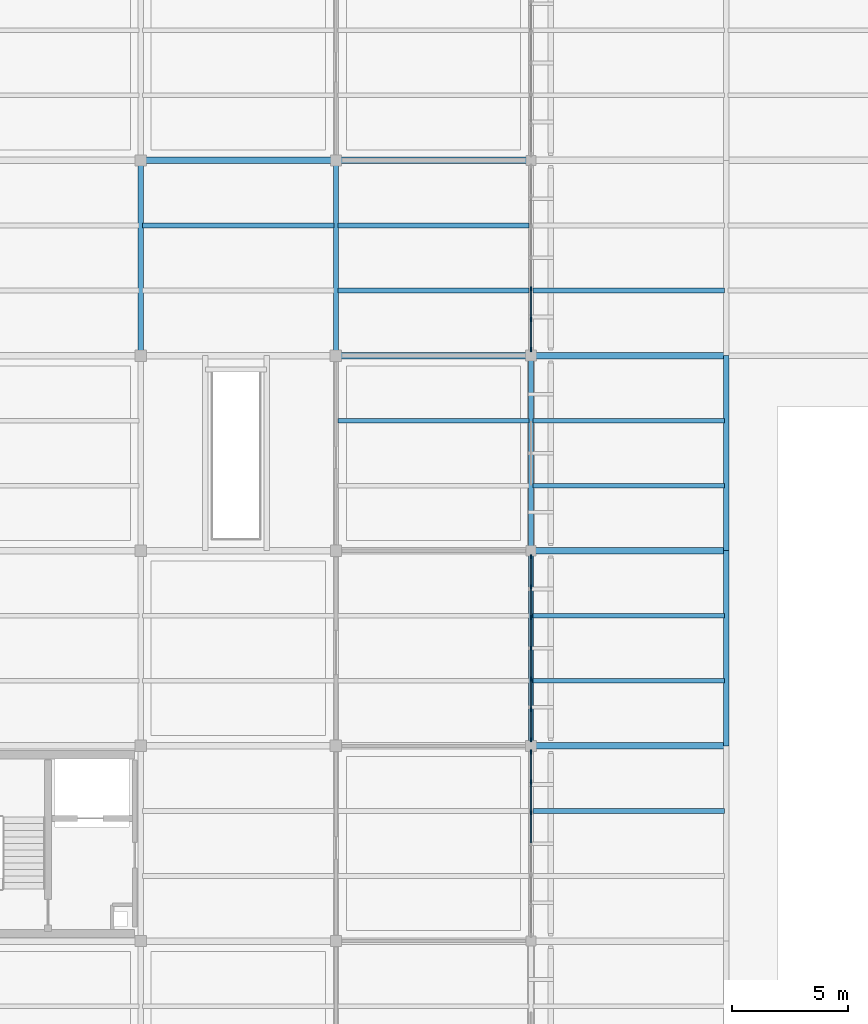
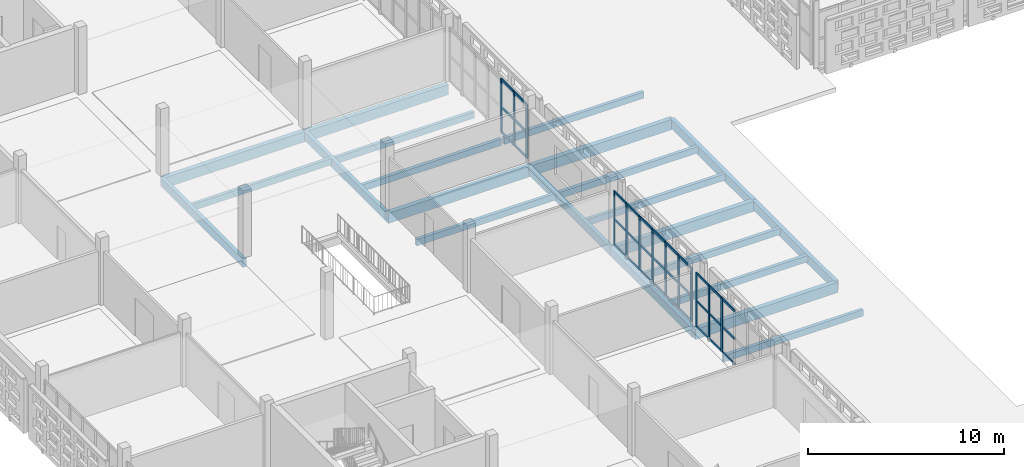
# One storey, part 33 of 166: 46 members, 22 beams, 3 elements without a shape of their own.
"""IFC4 building model written with IfcOpenShell, lengths in metres."""

from ifc_helpers import new_model, si_unit, direction, frame, origin, origin_2d, place, context, subcontext, project, spatial, rectangle, extrude, material, layer, layer_set, material_profile, profile_set, type_object, element, aggregate, save


model = new_model("IFC4")

# Units and contexts
model_context = context("Model", 3, precision=1e-05, world=origin(), true_north=direction((0.0, 1.0)))
body_context = subcontext(model_context, "Body", "Model", "MODEL_VIEW")
ifc_project = project(units=[si_unit("LENGTHUNIT", "METRE"), si_unit("AREAUNIT", "SQUARE_METRE"), si_unit("VOLUMEUNIT", "CUBIC_METRE"), si_unit("PLANEANGLEUNIT", "RADIAN"), si_unit("MASSUNIT", "GRAM", prefix="KILO")], contexts=[model_context])

# Site, building, storey
site_placement = place(None, origin())
site = spatial("IfcSite", under=ifc_project, at=site_placement, CompositionType="ELEMENT")
building_placement = place(site_placement, origin())
building = spatial("IfcBuilding", under=site, at=building_placement, Name="Varnapada Polytechnic", CompositionType="ELEMENT")
storey_placement = place(building_placement, frame((0.0, 0.0, 9.60009765625)))
storey = spatial("IfcBuildingStorey", under=building, at=storey_placement, Name="L02", CompositionType="ELEMENT", Elevation=9.60009765625)

# Beams
ifc_material_1 = material(Name="Glulam GL32h", Category="wood")
ifc_material_profile_1 = material_profile(ifc_material_1, rectangle(XDim=0.280029296875, YDim=0.639892578125, at=origin_2d()), Name="GL 280x640")
ifc_profile_set_1 = profile_set([ifc_material_profile_1], Name="Glulam GL32h")
beam_type_1 = type_object("IfcBeamType", Name="Laboratory primary glulam girder GG-02 (GL 280x640)", PredefinedType="BEAM", material=ifc_profile_set_1)
beam_1_placement = place(storey_placement, frame((16.800048828125, 92.39990234375, -0.56005859375), z_axis=(1.0, 0.0, 0.0), x_axis=(0.0, 1.0, 0.0)))
element("IfcBeam", 1, at=beam_1_placement, inside=storey, type_object=beam_type_1, Name="L02 beam X 3-4 at Y12", PredefinedType="BEAM", context=body_context, shape_type="SweptSolid", body=[
    extrude(rectangle(XDim=0.280029296875, YDim=0.639892578125, at=origin_2d()), origin(), (0.0, 0.0, 1.0), 8.39990234375),
])
for number, where, z_axis, x_axis, name in (
    (2, (25.199951171875, 84.0, -0.590087890625), (1.0, 0.0, 0.0), (0.0, 1.0, 0.0), "L02 beam X 4-5 at Y11"),
    (3, (25.199951171875, 92.39990234375, -0.590087890625), (1.0, 0.0, 0.0), (0.0, 1.0, 0.0), "L02 beam X 4-5 at Y12"),
):
    element("IfcBeam", number, at=place(storey_placement, frame(where, z_axis=z_axis, x_axis=x_axis)), inside=storey, type_object=beam_type_1, Name=name, PredefinedType="BEAM", context=body_context, shape_type="SweptSolid", body=[
        extrude(rectangle(XDim=0.280029296875, YDim=0.639892578125, at=origin_2d()), origin(), (0.0, 0.0, 1.0), 8.400146484375),
    ])
for number, where, z_axis, x_axis, name in (
    (4, (33.60009765625, 67.199951171875, -0.590087890625), (1.0, 0.0, 0.0), (0.0, 1.0, 0.0), "L02 beam X 5-6 at Y9"),
    (5, (33.60009765625, 75.60009765625, -0.590087890625), (1.0, 0.0, 0.0), (0.0, 1.0, 0.0), "L02 beam X 5-6 at Y10"),
    (6, (33.60009765625, 84.0, -0.590087890625), (1.0, 0.0, 0.0), (0.0, 1.0, 0.0), "L02 beam X 5-6 at Y11"),
):
    element("IfcBeam", number, at=place(storey_placement, frame(where, z_axis=z_axis, x_axis=x_axis)), inside=storey, type_object=beam_type_1, Name=name, PredefinedType="BEAM", context=body_context, shape_type="SweptSolid", body=[
        extrude(rectangle(XDim=0.280029296875, YDim=0.639892578125, at=origin_2d()), origin(), (0.0, 0.0, 1.0), 8.39990234375),
    ])
ifc_material_profile_2 = material_profile(ifc_material_1, rectangle(XDim=0.219970703125, YDim=0.52001953125, at=origin_2d()), Name="GL 220x520")
ifc_profile_set_2 = profile_set([ifc_material_profile_2], Name="Glulam GL32h")
beam_type_2 = type_object("IfcBeamType", Name="Laboratory transverse glulam beam GB-12 (GL 220x520)", PredefinedType="BEAM", material=ifc_profile_set_2)
for number, where, z_axis, x_axis, name in (
    (7, (16.800048828125, 84.0, -0.5), (0.0, 1.0, 0.0), (-1.0, 0.0, 0.0), "L02 beam Y 11-12 at X3"),
    (8, (25.199951171875, 84.0, -0.5), (0.0, 1.0, 0.0), (-1.0, 0.0, 0.0), "L02 beam Y 11-12 at X4"),
):
    element("IfcBeam", number, at=place(storey_placement, frame(where, z_axis=z_axis, x_axis=x_axis)), inside=storey, type_object=beam_type_2, Name=name, PredefinedType="BEAM", context=body_context, shape_type="SweptSolid", body=[
        extrude(rectangle(XDim=0.219970703125, YDim=0.52001953125, at=origin_2d()), origin(), (0.0, 0.0, 1.0), 8.39990234375),
    ])
beam_2_placement = place(storey_placement, frame((33.60009765625, 67.199951171875, -0.530029296875), z_axis=(0.0, 1.0, 0.0), x_axis=(-1.0, 0.0, 0.0)))
element("IfcBeam", 9, at=beam_2_placement, inside=storey, type_object=beam_type_2, Name="L02 beam Y 9-10 at X5", PredefinedType="BEAM", context=body_context, shape_type="SweptSolid", body=[
    extrude(rectangle(XDim=0.219970703125, YDim=0.52001953125, at=origin_2d()), origin(), (0.0, 0.0, 1.0), 8.400146484375),
])
beam_3_placement = place(storey_placement, frame((33.60009765625, 75.60009765625, -0.530029296875), z_axis=(0.0, 1.0, 0.0), x_axis=(-1.0, 0.0, 0.0)))
element("IfcBeam", 10, at=beam_3_placement, inside=storey, type_object=beam_type_2, Name="L02 beam Y 10-11 at X5", PredefinedType="BEAM", context=body_context, shape_type="SweptSolid", body=[
    extrude(rectangle(XDim=0.219970703125, YDim=0.52001953125, at=origin_2d()), origin(), (0.0, 0.0, 1.0), 8.39990234375),
])
ifc_material_profile_3 = material_profile(ifc_material_1, rectangle(XDim=0.199951171875, YDim=0.39990234375, at=origin_2d()), Name="GL 200x400")
ifc_profile_set_3 = profile_set([ifc_material_profile_3], Name="Glulam GL32h")
beam_type_3 = type_object("IfcBeamType", Name="Library/laboratory glulam floor joist GJ-01 (GL 200x400)", PredefinedType="JOIST", material=ifc_profile_set_3)
beam_4_placement = place(storey_placement, frame((16.8798828125, 89.60009765625, -0.440185546875), z_axis=(1.0, 0.0, 0.0), x_axis=(0.0, 1.0, 0.0)))
element("IfcBeam", 11, at=beam_4_placement, inside=storey, type_object=beam_type_3, Name="L02 floor joist 3/11.2", PredefinedType="JOIST", context=body_context, shape_type="SweptSolid", body=[
    extrude(rectangle(XDim=0.199951171875, YDim=0.39990234375, at=origin_2d()), origin(), (0.0, 0.0, 1.0), 8.240234375),
])
for number, where, z_axis, x_axis, name in (
    (12, (25.280029296875, 81.199951171875, -0.47021484375), (1.0, 0.0, 0.0), (0.0, 1.0, 0.0), "L02 floor joist 4/10.2"),
    (13, (25.280029296875, 86.800048828125, -0.47021484375), (1.0, 0.0, 0.0), (0.0, 1.0, 0.0), "L02 floor joist 4/11.1"),
    (14, (25.280029296875, 89.60009765625, -0.47021484375), (1.0, 0.0, 0.0), (0.0, 1.0, 0.0), "L02 floor joist 4/11.2"),
    (15, (33.679931640625, 64.39990234375, -0.47021484375), (1.0, 0.0, 0.0), (0.0, 1.0, 0.0), "L02 floor joist 5/8.2"),
    (16, (33.679931640625, 70.0, -0.47021484375), (1.0, 0.0, 0.0), (0.0, 1.0, 0.0), "L02 floor joist 5/9.1"),
    (17, (33.679931640625, 72.800048828125, -0.47021484375), (1.0, 0.0, 0.0), (0.0, 1.0, 0.0), "L02 floor joist 5/9.2"),
    (18, (33.679931640625, 78.39990234375, -0.47021484375), (1.0, 0.0, 0.0), (0.0, 1.0, 0.0), "L02 floor joist 5/10.1"),
    (19, (33.679931640625, 81.199951171875, -0.47021484375), (1.0, 0.0, 0.0), (0.0, 1.0, 0.0), "L02 floor joist 5/10.2"),
    (20, (33.679931640625, 86.800048828125, -0.47021484375), (1.0, 0.0, 0.0), (0.0, 1.0, 0.0), "L02 floor joist 5/11.1"),
):
    element("IfcBeam", number, at=place(storey_placement, frame(where, z_axis=z_axis, x_axis=x_axis)), inside=storey, type_object=beam_type_3, Name=name, PredefinedType="JOIST", context=body_context, shape_type="SweptSolid", body=[
        extrude(rectangle(XDim=0.199951171875, YDim=0.39990234375, at=origin_2d()), origin(), (0.0, 0.0, 1.0), 8.239990234375),
    ])

# Curtain wall, members
ifc_material_2 = material(Name="Double low-E laminated glass", Category="glass")
ifc_layer = layer(ifc_material_2, 0.179931640625)
ifc_layer_set = layer_set([ifc_layer], Name="Double low-E laminated glass")
curtain_wall_type = type_object("IfcCurtainWallType", Name="Curtain Wall CW-03", PredefinedType="NOTDEFINED", material=ifc_layer_set)
curtain_wall_1_placement = place(storey_placement, origin())
curtain_wall_1 = element("IfcCurtainWall", 21, at=curtain_wall_1_placement, inside=storey, type_object=curtain_wall_type, Name="L02 unitised curtain wall CW-03 (144)", PredefinedType="NOTDEFINED")
ifc_material_3 = material(Name="Anodised aluminium", Category="aluminium")
ifc_material_profile_4 = material_profile(ifc_material_3, rectangle(XDim=0.06494140625, YDim=0.179931640625, at=origin_2d()), Name="ALU M65x180")
ifc_profile_set_4 = profile_set([ifc_material_profile_4], Name="Anodised aluminium")
member_type_1 = type_object("IfcMemberType", Name="Mullion M-02", PredefinedType="MULLION", material=ifc_profile_set_4)
member_1_placement = place(storey_placement, frame((33.60009765625, 66.9375, 0.0), z_axis=(0.0, 0.0, 1.0), x_axis=(1.0, 0.0, 0.0)))
member_1 = element("IfcMember", 22, at=member_1_placement, type_object=member_type_1, Name="CW-03 mullion 1", PredefinedType="MULLION", context=body_context, shape_type="SweptSolid", body=[
    extrude(rectangle(XDim=0.06494140625, YDim=0.179931640625, at=origin_2d()), origin(), (0.0, 0.0, 1.0), 3.35986328125),
])
member_2_placement = place(storey_placement, frame((33.60009765625, 65.64501953125, 0.0), z_axis=(0.0, 0.0, 1.0), x_axis=(1.0, 0.0, 0.0)))
member_2 = element("IfcMember", 23, at=member_2_placement, type_object=member_type_1, Name="CW-03 mullion 2", PredefinedType="MULLION", context=body_context, shape_type="SweptSolid", body=[
    extrude(rectangle(XDim=0.06494140625, YDim=0.179931640625, at=origin_2d()), origin(), (0.0, 0.0, 1.0), 3.35986328125),
])
member_3_placement = place(storey_placement, frame((33.60009765625, 64.320068359375, 0.0), z_axis=(0.0, 0.0, 1.0), x_axis=(1.0, 0.0, 0.0)))
member_3 = element("IfcMember", 24, at=member_3_placement, type_object=member_type_1, Name="CW-03 mullion 3", PredefinedType="MULLION", context=body_context, shape_type="SweptSolid", body=[
    extrude(rectangle(XDim=0.06494140625, YDim=0.179931640625, at=origin_2d()), origin(), (0.0, 0.0, 1.0), 3.35986328125),
])

curtain_wall_2_placement = place(storey_placement, origin())
curtain_wall_2 = element("IfcCurtainWall", 25, at=curtain_wall_2_placement, inside=storey, type_object=curtain_wall_type, Name="L02 unitised curtain wall CW-03 (145)", PredefinedType="NOTDEFINED")
member_4_placement = place(storey_placement, frame((33.60009765625, 75.347412109375, 0.0), z_axis=(0.0, 0.0, 1.0), x_axis=(1.0, 0.0, 0.0)))
member_4 = element("IfcMember", 26, at=member_4_placement, type_object=member_type_1, Name="CW-03 mullion 1", PredefinedType="MULLION", context=body_context, shape_type="SweptSolid", body=[
    extrude(rectangle(XDim=0.06494140625, YDim=0.179931640625, at=origin_2d()), origin(), (0.0, 0.0, 1.0), 3.35986328125),
])
member_5_placement = place(storey_placement, frame((33.60009765625, 74.054931640625, 0.0), z_axis=(0.0, 0.0, 1.0), x_axis=(1.0, 0.0, 0.0)))
member_5 = element("IfcMember", 27, at=member_5_placement, type_object=member_type_1, Name="CW-03 mullion 2", PredefinedType="MULLION", context=body_context, shape_type="SweptSolid", body=[
    extrude(rectangle(XDim=0.06494140625, YDim=0.179931640625, at=origin_2d()), origin(), (0.0, 0.0, 1.0), 3.35986328125),
])
member_6_placement = place(storey_placement, frame((33.60009765625, 72.72998046875, 0.0), z_axis=(0.0, 0.0, 1.0), x_axis=(1.0, 0.0, 0.0)))
member_6 = element("IfcMember", 28, at=member_6_placement, type_object=member_type_1, Name="CW-03 mullion 3", PredefinedType="MULLION", context=body_context, shape_type="SweptSolid", body=[
    extrude(rectangle(XDim=0.06494140625, YDim=0.179931640625, at=origin_2d()), origin(), (0.0, 0.0, 1.0), 3.35986328125),
])
member_7_placement = place(storey_placement, frame((33.60009765625, 71.405029296875, 0.0), z_axis=(0.0, 0.0, 1.0), x_axis=(1.0, 0.0, 0.0)))
member_7 = element("IfcMember", 29, at=member_7_placement, type_object=member_type_1, Name="CW-03 mullion 4", PredefinedType="MULLION", context=body_context, shape_type="SweptSolid", body=[
    extrude(rectangle(XDim=0.06494140625, YDim=0.179931640625, at=origin_2d()), origin(), (0.0, 0.0, 1.0), 3.35986328125),
])
member_8_placement = place(storey_placement, frame((33.60009765625, 70.080078125, 0.0), z_axis=(0.0, 0.0, 1.0), x_axis=(1.0, 0.0, 0.0)))
member_8 = element("IfcMember", 30, at=member_8_placement, type_object=member_type_1, Name="CW-03 mullion 5", PredefinedType="MULLION", context=body_context, shape_type="SweptSolid", body=[
    extrude(rectangle(XDim=0.06494140625, YDim=0.179931640625, at=origin_2d()), origin(), (0.0, 0.0, 1.0), 3.35986328125),
])
member_9_placement = place(storey_placement, frame((33.60009765625, 68.7548828125, 0.0), z_axis=(0.0, 0.0, 1.0), x_axis=(1.0, 0.0, 0.0)))
member_9 = element("IfcMember", 31, at=member_9_placement, type_object=member_type_1, Name="CW-03 mullion 6", PredefinedType="MULLION", context=body_context, shape_type="SweptSolid", body=[
    extrude(rectangle(XDim=0.06494140625, YDim=0.179931640625, at=origin_2d()), origin(), (0.0, 0.0, 1.0), 3.35986328125),
])
member_10_placement = place(storey_placement, frame((33.60009765625, 67.46240234375, 0.0), z_axis=(0.0, 0.0, 1.0), x_axis=(1.0, 0.0, 0.0)))
member_10 = element("IfcMember", 32, at=member_10_placement, type_object=member_type_1, Name="CW-03 mullion 7", PredefinedType="MULLION", context=body_context, shape_type="SweptSolid", body=[
    extrude(rectangle(XDim=0.06494140625, YDim=0.179931640625, at=origin_2d()), origin(), (0.0, 0.0, 1.0), 3.35986328125),
])

curtain_wall_3_placement = place(storey_placement, origin())
curtain_wall_3 = element("IfcCurtainWall", 33, at=curtain_wall_3_placement, inside=storey, type_object=curtain_wall_type, Name="L02 unitised curtain wall CW-03 (146)", PredefinedType="NOTDEFINED")
member_11_placement = place(storey_placement, frame((33.60009765625, 86.8798828125, 0.0), z_axis=(0.0, 0.0, 1.0), x_axis=(1.0, 0.0, 0.0)))
member_11 = element("IfcMember", 34, at=member_11_placement, type_object=member_type_1, Name="CW-03 mullion 5", PredefinedType="MULLION", context=body_context, shape_type="SweptSolid", body=[
    extrude(rectangle(XDim=0.06494140625, YDim=0.179931640625, at=origin_2d()), origin(), (0.0, 0.0, 1.0), 3.35986328125),
])
member_12_placement = place(storey_placement, frame((33.60009765625, 85.554931640625, 0.0), z_axis=(0.0, 0.0, 1.0), x_axis=(1.0, 0.0, 0.0)))
member_12 = element("IfcMember", 35, at=member_12_placement, type_object=member_type_1, Name="CW-03 mullion 6", PredefinedType="MULLION", context=body_context, shape_type="SweptSolid", body=[
    extrude(rectangle(XDim=0.06494140625, YDim=0.179931640625, at=origin_2d()), origin(), (0.0, 0.0, 1.0), 3.35986328125),
])
member_13_placement = place(storey_placement, frame((33.60009765625, 84.262451171875, 0.0), z_axis=(0.0, 0.0, 1.0), x_axis=(1.0, 0.0, 0.0)))
member_13 = element("IfcMember", 36, at=member_13_placement, type_object=member_type_1, Name="CW-03 mullion 7", PredefinedType="MULLION", context=body_context, shape_type="SweptSolid", body=[
    extrude(rectangle(XDim=0.06494140625, YDim=0.179931640625, at=origin_2d()), origin(), (0.0, 0.0, 1.0), 3.35986328125),
])

# Beams
ifc_material_profile_5 = material_profile(ifc_material_1, rectangle(XDim=0.239990234375, YDim=0.56005859375, at=origin_2d()), Name="GL 240x560")
ifc_profile_set_5 = profile_set([ifc_material_profile_5], Name="Glulam GL32h")
beam_type_4 = type_object("IfcBeamType", Name="Perimeter glulam spandrel beam SP-02 (GL 240x560)", PredefinedType="SPANDREL", material=ifc_profile_set_5)
beam_5_placement = place(storey_placement, frame((42.0, 67.199951171875, -0.550048828125), z_axis=(0.0, 1.0, 0.0), x_axis=(-1.0, 0.0, 0.0)))
element("IfcBeam", 37, at=beam_5_placement, inside=storey, type_object=beam_type_4, Name="L02 beam Y 9-10 at X6", PredefinedType="SPANDREL", context=body_context, shape_type="SweptSolid", body=[
    extrude(rectangle(XDim=0.239990234375, YDim=0.56005859375, at=origin_2d()), origin(), (0.0, 0.0, 1.0), 8.400146484375),
])
beam_6_placement = place(storey_placement, frame((42.0, 75.60009765625, -0.550048828125), z_axis=(0.0, 1.0, 0.0), x_axis=(-1.0, 0.0, 0.0)))
element("IfcBeam", 38, at=beam_6_placement, inside=storey, type_object=beam_type_4, Name="L02 beam Y 10-11 at X6", PredefinedType="SPANDREL", context=body_context, shape_type="SweptSolid", body=[
    extrude(rectangle(XDim=0.239990234375, YDim=0.56005859375, at=origin_2d()), origin(), (0.0, 0.0, 1.0), 8.39990234375),
])

# Member
ifc_material_profile_6 = material_profile(ifc_material_3, rectangle(XDim=0.06494140625, YDim=0.139892578125, at=origin_2d()), Name="ALU T65x140")
ifc_profile_set_6 = profile_set([ifc_material_profile_6], Name="Anodised aluminium")
member_type_2 = type_object("IfcMemberType", Name="Transom T-02", PredefinedType="USERDEFINED", material=ifc_profile_set_6)
member_14_placement = place(storey_placement, frame((33.60009765625, 66.905029296875, 0.032470703125), z_axis=(0.0, -1.0, 0.0), x_axis=(1.0, 0.0, 0.0)))
member_14 = element("IfcMember", 39, at=member_14_placement, type_object=member_type_2, Name="CW-03 transom 1.1", ObjectType="TRANSOM", PredefinedType="USERDEFINED", context=body_context, shape_type="SweptSolid", body=[
    extrude(rectangle(XDim=0.06494140625, YDim=0.139892578125, at=origin_2d()), origin(), (0.0, 0.0, 1.0), 1.2275390625),
])

member_15_placement = place(storey_placement, frame((33.60009765625, 66.905029296875, 1.61279296875), z_axis=(0.0, -1.0, 0.0), x_axis=(1.0, 0.0, 0.0)))
member_15 = element("IfcMember", 40, at=member_15_placement, type_object=member_type_2, Name="CW-03 transom 1.2", ObjectType="TRANSOM", PredefinedType="USERDEFINED", context=body_context, shape_type="SweptSolid", body=[
    extrude(rectangle(XDim=0.06494140625, YDim=0.139892578125, at=origin_2d()), origin(), (0.0, 0.0, 1.0), 1.2275390625),
])

member_16_placement = place(storey_placement, frame((33.60009765625, 66.905029296875, 3.327392578125), z_axis=(0.0, -1.0, 0.0), x_axis=(1.0, 0.0, 0.0)))
member_16 = element("IfcMember", 41, at=member_16_placement, type_object=member_type_2, Name="CW-03 transom 1.3", ObjectType="TRANSOM", PredefinedType="USERDEFINED", context=body_context, shape_type="SweptSolid", body=[
    extrude(rectangle(XDim=0.06494140625, YDim=0.139892578125, at=origin_2d()), origin(), (0.0, 0.0, 1.0), 1.2275390625),
])

member_17_placement = place(storey_placement, frame((33.60009765625, 65.612548828125, 0.032470703125), z_axis=(0.0, -1.0, 0.0), x_axis=(1.0, 0.0, 0.0)))
member_17 = element("IfcMember", 42, at=member_17_placement, type_object=member_type_2, Name="CW-03 transom 2.1", ObjectType="TRANSOM", PredefinedType="USERDEFINED", context=body_context, shape_type="SweptSolid", body=[
    extrude(rectangle(XDim=0.06494140625, YDim=0.139892578125, at=origin_2d()), origin(), (0.0, 0.0, 1.0), 1.260009765625),
])

member_18_placement = place(storey_placement, frame((33.60009765625, 65.612548828125, 1.61279296875), z_axis=(0.0, -1.0, 0.0), x_axis=(1.0, 0.0, 0.0)))
member_18 = element("IfcMember", 43, at=member_18_placement, type_object=member_type_2, Name="CW-03 transom 2.2", ObjectType="TRANSOM", PredefinedType="USERDEFINED", context=body_context, shape_type="SweptSolid", body=[
    extrude(rectangle(XDim=0.06494140625, YDim=0.139892578125, at=origin_2d()), origin(), (0.0, 0.0, 1.0), 1.260009765625),
])

member_19_placement = place(storey_placement, frame((33.60009765625, 65.612548828125, 3.327392578125), z_axis=(0.0, -1.0, 0.0), x_axis=(1.0, 0.0, 0.0)))
member_19 = element("IfcMember", 44, at=member_19_placement, type_object=member_type_2, Name="CW-03 transom 2.3", ObjectType="TRANSOM", PredefinedType="USERDEFINED", context=body_context, shape_type="SweptSolid", body=[
    extrude(rectangle(XDim=0.06494140625, YDim=0.139892578125, at=origin_2d()), origin(), (0.0, 0.0, 1.0), 1.260009765625),
])

member_20_placement = place(storey_placement, frame((33.60009765625, 64.28759765625, 0.032470703125), z_axis=(0.0, -1.0, 0.0), x_axis=(1.0, 0.0, 0.0)))
member_20 = element("IfcMember", 45, at=member_20_placement, type_object=member_type_2, Name="CW-03 transom 3.1", ObjectType="TRANSOM", PredefinedType="USERDEFINED", context=body_context, shape_type="SweptSolid", body=[
    extrude(rectangle(XDim=0.06494140625, YDim=0.139892578125, at=origin_2d()), origin(), (0.0, 0.0, 1.0), 1.260009765625),
])

member_21_placement = place(storey_placement, frame((33.60009765625, 64.28759765625, 1.61279296875), z_axis=(0.0, -1.0, 0.0), x_axis=(1.0, 0.0, 0.0)))
member_21 = element("IfcMember", 46, at=member_21_placement, type_object=member_type_2, Name="CW-03 transom 3.2", ObjectType="TRANSOM", PredefinedType="USERDEFINED", context=body_context, shape_type="SweptSolid", body=[
    extrude(rectangle(XDim=0.06494140625, YDim=0.139892578125, at=origin_2d()), origin(), (0.0, 0.0, 1.0), 1.260009765625),
])

member_22_placement = place(storey_placement, frame((33.60009765625, 64.28759765625, 3.327392578125), z_axis=(0.0, -1.0, 0.0), x_axis=(1.0, 0.0, 0.0)))
member_22 = element("IfcMember", 47, at=member_22_placement, type_object=member_type_2, Name="CW-03 transom 3.3", ObjectType="TRANSOM", PredefinedType="USERDEFINED", context=body_context, shape_type="SweptSolid", body=[
    extrude(rectangle(XDim=0.06494140625, YDim=0.139892578125, at=origin_2d()), origin(), (0.0, 0.0, 1.0), 1.260009765625),
])

aggregate(curtain_wall_1, [member_1, member_2, member_3, member_14, member_15, member_16, member_17, member_18, member_19, member_20, member_21, member_22])

member_23_placement = place(storey_placement, frame((33.60009765625, 75.31494140625, 0.032470703125), z_axis=(0.0, -1.0, 0.0), x_axis=(1.0, 0.0, 0.0)))
member_23 = element("IfcMember", 48, at=member_23_placement, type_object=member_type_2, Name="CW-03 transom 1.1", ObjectType="TRANSOM", PredefinedType="USERDEFINED", context=body_context, shape_type="SweptSolid", body=[
    extrude(rectangle(XDim=0.06494140625, YDim=0.139892578125, at=origin_2d()), origin(), (0.0, 0.0, 1.0), 1.2275390625),
])

member_24_placement = place(storey_placement, frame((33.60009765625, 75.31494140625, 1.61279296875), z_axis=(0.0, -1.0, 0.0), x_axis=(1.0, 0.0, 0.0)))
member_24 = element("IfcMember", 49, at=member_24_placement, type_object=member_type_2, Name="CW-03 transom 1.2", ObjectType="TRANSOM", PredefinedType="USERDEFINED", context=body_context, shape_type="SweptSolid", body=[
    extrude(rectangle(XDim=0.06494140625, YDim=0.139892578125, at=origin_2d()), origin(), (0.0, 0.0, 1.0), 1.2275390625),
])

member_25_placement = place(storey_placement, frame((33.60009765625, 75.31494140625, 3.327392578125), z_axis=(0.0, -1.0, 0.0), x_axis=(1.0, 0.0, 0.0)))
member_25 = element("IfcMember", 50, at=member_25_placement, type_object=member_type_2, Name="CW-03 transom 1.3", ObjectType="TRANSOM", PredefinedType="USERDEFINED", context=body_context, shape_type="SweptSolid", body=[
    extrude(rectangle(XDim=0.06494140625, YDim=0.139892578125, at=origin_2d()), origin(), (0.0, 0.0, 1.0), 1.2275390625),
])

member_26_placement = place(storey_placement, frame((33.60009765625, 74.0224609375, 0.032470703125), z_axis=(0.0, -1.0, 0.0), x_axis=(1.0, 0.0, 0.0)))
member_26 = element("IfcMember", 51, at=member_26_placement, type_object=member_type_2, Name="CW-03 transom 2.1", ObjectType="TRANSOM", PredefinedType="USERDEFINED", context=body_context, shape_type="SweptSolid", body=[
    extrude(rectangle(XDim=0.06494140625, YDim=0.139892578125, at=origin_2d()), origin(), (0.0, 0.0, 1.0), 1.260009765625),
])

member_27_placement = place(storey_placement, frame((33.60009765625, 74.0224609375, 1.61279296875), z_axis=(0.0, -1.0, 0.0), x_axis=(1.0, 0.0, 0.0)))
member_27 = element("IfcMember", 52, at=member_27_placement, type_object=member_type_2, Name="CW-03 transom 2.2", ObjectType="TRANSOM", PredefinedType="USERDEFINED", context=body_context, shape_type="SweptSolid", body=[
    extrude(rectangle(XDim=0.06494140625, YDim=0.139892578125, at=origin_2d()), origin(), (0.0, 0.0, 1.0), 1.260009765625),
])

member_28_placement = place(storey_placement, frame((33.60009765625, 74.0224609375, 3.327392578125), z_axis=(0.0, -1.0, 0.0), x_axis=(1.0, 0.0, 0.0)))
member_28 = element("IfcMember", 53, at=member_28_placement, type_object=member_type_2, Name="CW-03 transom 2.3", ObjectType="TRANSOM", PredefinedType="USERDEFINED", context=body_context, shape_type="SweptSolid", body=[
    extrude(rectangle(XDim=0.06494140625, YDim=0.139892578125, at=origin_2d()), origin(), (0.0, 0.0, 1.0), 1.260009765625),
])

member_29_placement = place(storey_placement, frame((33.60009765625, 72.697509765625, 0.032470703125), z_axis=(0.0, -1.0, 0.0), x_axis=(1.0, 0.0, 0.0)))
member_29 = element("IfcMember", 54, at=member_29_placement, type_object=member_type_2, Name="CW-03 transom 3.1", ObjectType="TRANSOM", PredefinedType="USERDEFINED", context=body_context, shape_type="SweptSolid", body=[
    extrude(rectangle(XDim=0.06494140625, YDim=0.139892578125, at=origin_2d()), origin(), (0.0, 0.0, 1.0), 1.260009765625),
])

member_30_placement = place(storey_placement, frame((33.60009765625, 72.697509765625, 1.61279296875), z_axis=(0.0, -1.0, 0.0), x_axis=(1.0, 0.0, 0.0)))
member_30 = element("IfcMember", 55, at=member_30_placement, type_object=member_type_2, Name="CW-03 transom 3.2", ObjectType="TRANSOM", PredefinedType="USERDEFINED", context=body_context, shape_type="SweptSolid", body=[
    extrude(rectangle(XDim=0.06494140625, YDim=0.139892578125, at=origin_2d()), origin(), (0.0, 0.0, 1.0), 1.260009765625),
])

member_31_placement = place(storey_placement, frame((33.60009765625, 72.697509765625, 3.327392578125), z_axis=(0.0, -1.0, 0.0), x_axis=(1.0, 0.0, 0.0)))
member_31 = element("IfcMember", 56, at=member_31_placement, type_object=member_type_2, Name="CW-03 transom 3.3", ObjectType="TRANSOM", PredefinedType="USERDEFINED", context=body_context, shape_type="SweptSolid", body=[
    extrude(rectangle(XDim=0.06494140625, YDim=0.139892578125, at=origin_2d()), origin(), (0.0, 0.0, 1.0), 1.260009765625),
])

member_32_placement = place(storey_placement, frame((33.60009765625, 71.37255859375, 0.032470703125), z_axis=(0.0, -1.0, 0.0), x_axis=(1.0, 0.0, 0.0)))
member_32 = element("IfcMember", 57, at=member_32_placement, type_object=member_type_2, Name="CW-03 transom 4.1", ObjectType="TRANSOM", PredefinedType="USERDEFINED", context=body_context, shape_type="SweptSolid", body=[
    extrude(rectangle(XDim=0.06494140625, YDim=0.139892578125, at=origin_2d()), origin(), (0.0, 0.0, 1.0), 1.260009765625),
])

member_33_placement = place(storey_placement, frame((33.60009765625, 71.37255859375, 1.61279296875), z_axis=(0.0, -1.0, 0.0), x_axis=(1.0, 0.0, 0.0)))
member_33 = element("IfcMember", 58, at=member_33_placement, type_object=member_type_2, Name="CW-03 transom 4.2", ObjectType="TRANSOM", PredefinedType="USERDEFINED", context=body_context, shape_type="SweptSolid", body=[
    extrude(rectangle(XDim=0.06494140625, YDim=0.139892578125, at=origin_2d()), origin(), (0.0, 0.0, 1.0), 1.260009765625),
])

member_34_placement = place(storey_placement, frame((33.60009765625, 71.37255859375, 3.327392578125), z_axis=(0.0, -1.0, 0.0), x_axis=(1.0, 0.0, 0.0)))
member_34 = element("IfcMember", 59, at=member_34_placement, type_object=member_type_2, Name="CW-03 transom 4.3", ObjectType="TRANSOM", PredefinedType="USERDEFINED", context=body_context, shape_type="SweptSolid", body=[
    extrude(rectangle(XDim=0.06494140625, YDim=0.139892578125, at=origin_2d()), origin(), (0.0, 0.0, 1.0), 1.260009765625),
])

member_35_placement = place(storey_placement, frame((33.60009765625, 70.047607421875, 0.032470703125), z_axis=(0.0, -1.0, 0.0), x_axis=(1.0, 0.0, 0.0)))
member_35 = element("IfcMember", 60, at=member_35_placement, type_object=member_type_2, Name="CW-03 transom 5.1", ObjectType="TRANSOM", PredefinedType="USERDEFINED", context=body_context, shape_type="SweptSolid", body=[
    extrude(rectangle(XDim=0.06494140625, YDim=0.139892578125, at=origin_2d()), origin(), (0.0, 0.0, 1.0), 1.260009765625),
])

member_36_placement = place(storey_placement, frame((33.60009765625, 70.047607421875, 1.61279296875), z_axis=(0.0, -1.0, 0.0), x_axis=(1.0, 0.0, 0.0)))
member_36 = element("IfcMember", 61, at=member_36_placement, type_object=member_type_2, Name="CW-03 transom 5.2", ObjectType="TRANSOM", PredefinedType="USERDEFINED", context=body_context, shape_type="SweptSolid", body=[
    extrude(rectangle(XDim=0.06494140625, YDim=0.139892578125, at=origin_2d()), origin(), (0.0, 0.0, 1.0), 1.260009765625),
])

member_37_placement = place(storey_placement, frame((33.60009765625, 70.047607421875, 3.327392578125), z_axis=(0.0, -1.0, 0.0), x_axis=(1.0, 0.0, 0.0)))
member_37 = element("IfcMember", 62, at=member_37_placement, type_object=member_type_2, Name="CW-03 transom 5.3", ObjectType="TRANSOM", PredefinedType="USERDEFINED", context=body_context, shape_type="SweptSolid", body=[
    extrude(rectangle(XDim=0.06494140625, YDim=0.139892578125, at=origin_2d()), origin(), (0.0, 0.0, 1.0), 1.260009765625),
])

member_38_placement = place(storey_placement, frame((33.60009765625, 68.722412109375, 0.032470703125), z_axis=(0.0, -1.0, 0.0), x_axis=(1.0, 0.0, 0.0)))
member_38 = element("IfcMember", 63, at=member_38_placement, type_object=member_type_2, Name="CW-03 transom 6.1", ObjectType="TRANSOM", PredefinedType="USERDEFINED", context=body_context, shape_type="SweptSolid", body=[
    extrude(rectangle(XDim=0.06494140625, YDim=0.139892578125, at=origin_2d()), origin(), (0.0, 0.0, 1.0), 1.227294921875),
])

member_39_placement = place(storey_placement, frame((33.60009765625, 68.722412109375, 1.61279296875), z_axis=(0.0, -1.0, 0.0), x_axis=(1.0, 0.0, 0.0)))
member_39 = element("IfcMember", 64, at=member_39_placement, type_object=member_type_2, Name="CW-03 transom 6.2", ObjectType="TRANSOM", PredefinedType="USERDEFINED", context=body_context, shape_type="SweptSolid", body=[
    extrude(rectangle(XDim=0.06494140625, YDim=0.139892578125, at=origin_2d()), origin(), (0.0, 0.0, 1.0), 1.227294921875),
])

member_40_placement = place(storey_placement, frame((33.60009765625, 68.722412109375, 3.327392578125), z_axis=(0.0, -1.0, 0.0), x_axis=(1.0, 0.0, 0.0)))
member_40 = element("IfcMember", 65, at=member_40_placement, type_object=member_type_2, Name="CW-03 transom 6.3", ObjectType="TRANSOM", PredefinedType="USERDEFINED", context=body_context, shape_type="SweptSolid", body=[
    extrude(rectangle(XDim=0.06494140625, YDim=0.139892578125, at=origin_2d()), origin(), (0.0, 0.0, 1.0), 1.227294921875),
])

aggregate(curtain_wall_2, [member_4, member_5, member_6, member_7, member_8, member_9, member_10, member_23, member_24, member_25, member_26, member_27, member_28, member_29, member_30, member_31, member_32, member_33, member_34, member_35, member_36, member_37, member_38, member_39, member_40])

member_41_placement = place(storey_placement, frame((33.60009765625, 86.847412109375, 0.032470703125), z_axis=(0.0, -1.0, 0.0), x_axis=(1.0, 0.0, 0.0)))
member_41 = element("IfcMember", 66, at=member_41_placement, type_object=member_type_2, Name="CW-03 transom 5.1", ObjectType="TRANSOM", PredefinedType="USERDEFINED", context=body_context, shape_type="SweptSolid", body=[
    extrude(rectangle(XDim=0.06494140625, YDim=0.139892578125, at=origin_2d()), origin(), (0.0, 0.0, 1.0), 1.260009765625),
])

member_42_placement = place(storey_placement, frame((33.60009765625, 86.847412109375, 1.61279296875), z_axis=(0.0, -1.0, 0.0), x_axis=(1.0, 0.0, 0.0)))
member_42 = element("IfcMember", 67, at=member_42_placement, type_object=member_type_2, Name="CW-03 transom 5.2", ObjectType="TRANSOM", PredefinedType="USERDEFINED", context=body_context, shape_type="SweptSolid", body=[
    extrude(rectangle(XDim=0.06494140625, YDim=0.139892578125, at=origin_2d()), origin(), (0.0, 0.0, 1.0), 1.260009765625),
])

member_43_placement = place(storey_placement, frame((33.60009765625, 86.847412109375, 3.327392578125), z_axis=(0.0, -1.0, 0.0), x_axis=(1.0, 0.0, 0.0)))
member_43 = element("IfcMember", 68, at=member_43_placement, type_object=member_type_2, Name="CW-03 transom 5.3", ObjectType="TRANSOM", PredefinedType="USERDEFINED", context=body_context, shape_type="SweptSolid", body=[
    extrude(rectangle(XDim=0.06494140625, YDim=0.139892578125, at=origin_2d()), origin(), (0.0, 0.0, 1.0), 1.260009765625),
])

member_44_placement = place(storey_placement, frame((33.60009765625, 85.5224609375, 0.032470703125), z_axis=(0.0, -1.0, 0.0), x_axis=(1.0, 0.0, 0.0)))
member_44 = element("IfcMember", 69, at=member_44_placement, type_object=member_type_2, Name="CW-03 transom 6.1", ObjectType="TRANSOM", PredefinedType="USERDEFINED", context=body_context, shape_type="SweptSolid", body=[
    extrude(rectangle(XDim=0.06494140625, YDim=0.139892578125, at=origin_2d()), origin(), (0.0, 0.0, 1.0), 1.2275390625),
])

member_45_placement = place(storey_placement, frame((33.60009765625, 85.5224609375, 1.61279296875), z_axis=(0.0, -1.0, 0.0), x_axis=(1.0, 0.0, 0.0)))
member_45 = element("IfcMember", 70, at=member_45_placement, type_object=member_type_2, Name="CW-03 transom 6.2", ObjectType="TRANSOM", PredefinedType="USERDEFINED", context=body_context, shape_type="SweptSolid", body=[
    extrude(rectangle(XDim=0.06494140625, YDim=0.139892578125, at=origin_2d()), origin(), (0.0, 0.0, 1.0), 1.2275390625),
])

member_46_placement = place(storey_placement, frame((33.60009765625, 85.5224609375, 3.327392578125), z_axis=(0.0, -1.0, 0.0), x_axis=(1.0, 0.0, 0.0)))
member_46 = element("IfcMember", 71, at=member_46_placement, type_object=member_type_2, Name="CW-03 transom 6.3", ObjectType="TRANSOM", PredefinedType="USERDEFINED", context=body_context, shape_type="SweptSolid", body=[
    extrude(rectangle(XDim=0.06494140625, YDim=0.139892578125, at=origin_2d()), origin(), (0.0, 0.0, 1.0), 1.2275390625),
])

aggregate(curtain_wall_3, [member_11, member_12, member_13, member_41, member_42, member_43, member_44, member_45, member_46])

save(model, "model.ifc")
